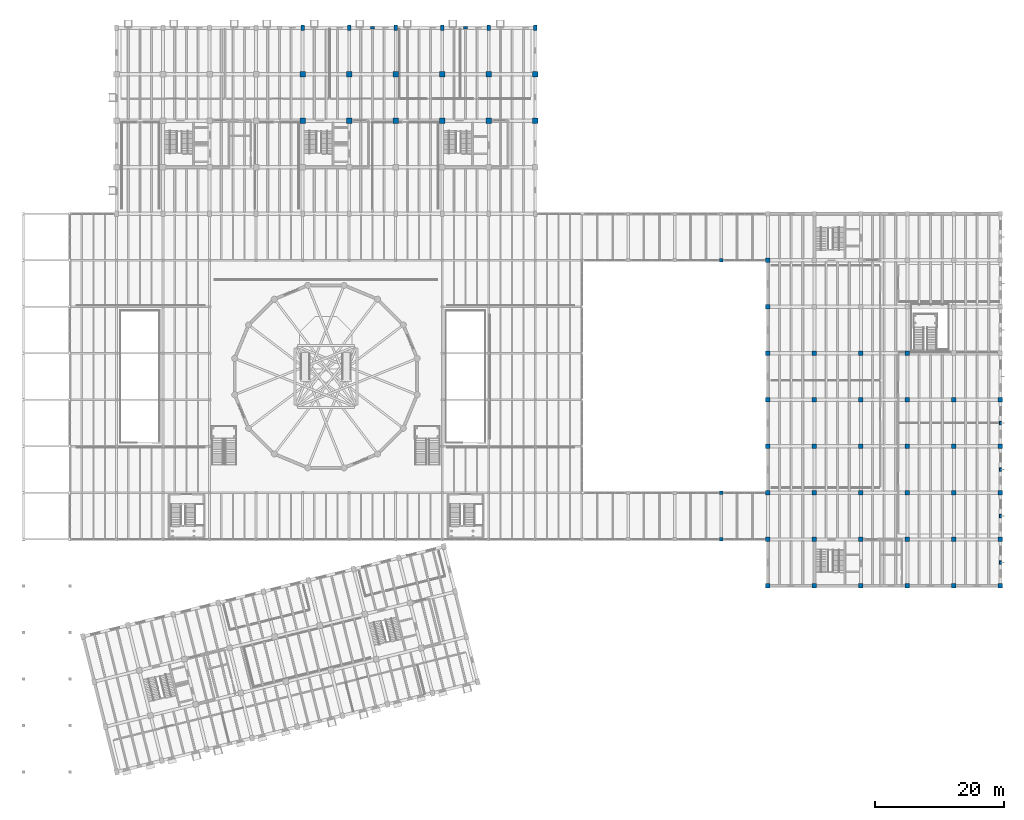
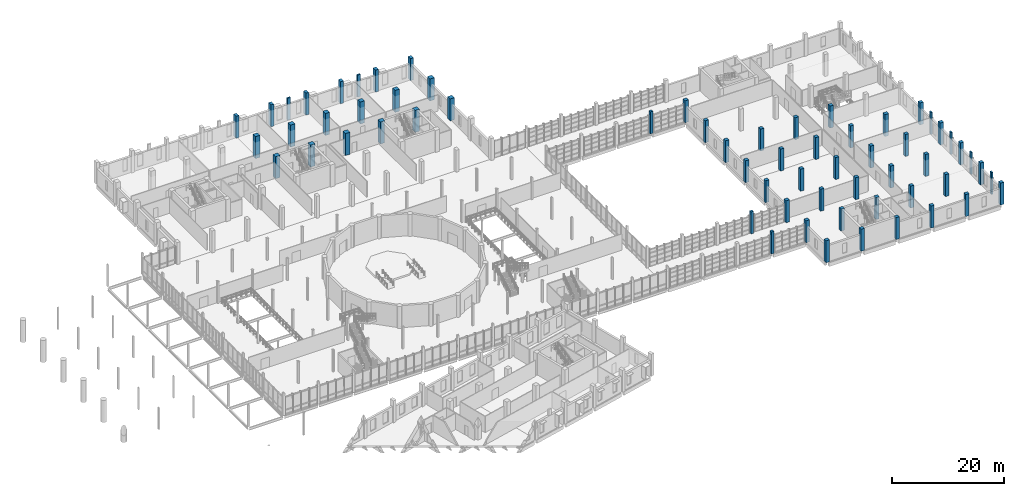
# One storey, part 15 of 77: 63 columns.
"""IFC4 building model written with IfcOpenShell, lengths in metres."""

from ifc_helpers import new_model, si_unit, direction, frame, origin, origin_2d, place, context, subcontext, project, spatial, rectangle, extrude, material, material_profile, profile_set, type_object, element, save


model = new_model("IFC4")

# Units and contexts
model_context = context("Model", 3, precision=1e-05, world=origin(), true_north=direction((0.0, 1.0)))
body_context = subcontext(model_context, "Body", "Model", "MODEL_VIEW")
ifc_project = project(units=[si_unit("LENGTHUNIT", "METRE"), si_unit("AREAUNIT", "SQUARE_METRE"), si_unit("VOLUMEUNIT", "CUBIC_METRE"), si_unit("PLANEANGLEUNIT", "RADIAN"), si_unit("MASSUNIT", "GRAM", prefix="KILO")], contexts=[model_context])

# Site, building, storey
site_placement = place(None, origin())
site = spatial("IfcSite", under=ifc_project, at=site_placement, CompositionType="ELEMENT")
building_placement = place(site_placement, origin())
building = spatial("IfcBuilding", under=site, at=building_placement, Name="Qiaolan Assembly House", CompositionType="ELEMENT")
storey_placement = place(building_placement, frame((0.0, 0.0, 5.39990234375)))
storey = spatial("IfcBuildingStorey", under=building, at=storey_placement, Name="L01", CompositionType="ELEMENT", Elevation=5.39990234375)

# Columns
ifc_material_1 = material(Name="Concrete C40/50", Category="concrete")
ifc_material_profile_1 = material_profile(ifc_material_1, rectangle(XDim=0.699951171875, YDim=0.699951171875, at=origin_2d()), Name="RC 700x700")
ifc_profile_set_1 = profile_set([ifc_material_profile_1], Name="Concrete C40/50")
column_type_1 = type_object("IfcColumnType", Name="COL-RC-700", PredefinedType="COLUMN", material=ifc_profile_set_1)
for number, where, z_axis, x_axis, name in (
    (1, (136.800048828125, 28.800048828125, 0.0), (0.0, 0.0, 1.0), (1.0, 0.0, 0.0), "RC-07 library column L01"),
    (2, (136.800048828125, 36.0, 0.0), (0.0, 0.0, 1.0), (1.0, 0.0, 0.0), "RC-07 library column L01"),
    (3, (136.800048828125, 43.199951171875, 0.0), (0.0, 0.0, 1.0), (1.0, 0.0, 0.0), "RC-07 library column L01"),
    (4, (136.800048828125, 50.39990234375, 0.0), (0.0, 0.0, 1.0), (1.0, 0.0, 0.0), "RC-07 library column L01"),
    (5, (136.800048828125, 57.60009765625, 0.0), (0.0, 0.0, 1.0), (1.0, 0.0, 0.0), "RC-07 library column L01"),
    (6, (136.800048828125, 64.800048828125, 0.0), (0.0, 0.0, 1.0), (1.0, 0.0, 0.0), "RC-07 library column L01"),
    (7, (136.800048828125, 72.0, 0.0), (0.0, 0.0, 1.0), (1.0, 0.0, 0.0), "RC-07 library column L01"),
    (8, (136.800048828125, 79.199951171875, 0.0), (0.0, 0.0, 1.0), (1.0, 0.0, 0.0), "RC-07 library column L01"),
    (9, (144.0, 28.800048828125, 0.0), (0.0, 0.0, 1.0), (1.0, 0.0, 0.0), "RC-07 library column L01"),
    (10, (144.0, 36.0, 0.0), (0.0, 0.0, 1.0), (1.0, 0.0, 0.0), "RC-07 library column L01"),
    (11, (144.0, 43.199951171875, 0.0), (0.0, 0.0, 1.0), (1.0, 0.0, 0.0), "RC-07 library column L01"),
    (12, (144.0, 50.39990234375, 0.0), (0.0, 0.0, 1.0), (1.0, 0.0, 0.0), "RC-07 library column L01"),
    (13, (144.0, 57.60009765625, 0.0), (0.0, 0.0, 1.0), (1.0, 0.0, 0.0), "RC-07 library column L01"),
    (14, (144.0, 64.800048828125, 0.0), (0.0, 0.0, 1.0), (1.0, 0.0, 0.0), "RC-07 library column L01"),
    (15, (151.199951171875, 28.800048828125, 0.0), (0.0, 0.0, 1.0), (1.0, 0.0, 0.0), "RC-07 library column L01"),
    (16, (151.199951171875, 36.0, 0.0), (0.0, 0.0, 1.0), (1.0, 0.0, 0.0), "RC-07 library column L01"),
    (17, (151.199951171875, 43.199951171875, 0.0), (0.0, 0.0, 1.0), (1.0, 0.0, 0.0), "RC-07 library column L01"),
    (18, (151.199951171875, 50.39990234375, 0.0), (0.0, 0.0, 1.0), (1.0, 0.0, 0.0), "RC-07 library column L01"),
    (19, (151.199951171875, 57.60009765625, 0.0), (0.0, 0.0, 1.0), (1.0, 0.0, 0.0), "RC-07 library column L01"),
    (20, (151.199951171875, 64.800048828125, 0.0), (0.0, 0.0, 1.0), (1.0, 0.0, 0.0), "RC-07 library column L01"),
    (21, (158.39990234375, 28.800048828125, 0.0), (0.0, 0.0, 1.0), (1.0, 0.0, 0.0), "RC-07 library column L01"),
    (22, (158.39990234375, 36.0, 0.0), (0.0, 0.0, 1.0), (1.0, 0.0, 0.0), "RC-07 library column L01"),
    (23, (158.39990234375, 43.199951171875, 0.0), (0.0, 0.0, 1.0), (1.0, 0.0, 0.0), "RC-07 library column L01"),
    (24, (158.39990234375, 50.39990234375, 0.0), (0.0, 0.0, 1.0), (1.0, 0.0, 0.0), "RC-07 library column L01"),
    (25, (158.39990234375, 57.60009765625, 0.0), (0.0, 0.0, 1.0), (1.0, 0.0, 0.0), "RC-07 library column L01"),
    (26, (158.39990234375, 64.800048828125, 0.0), (0.0, 0.0, 1.0), (1.0, 0.0, 0.0), "RC-07 library column L01"),
    (27, (165.60009765625, 28.800048828125, 0.0), (0.0, 0.0, 1.0), (1.0, 0.0, 0.0), "RC-07 library column L01"),
    (28, (165.60009765625, 36.0, 0.0), (0.0, 0.0, 1.0), (1.0, 0.0, 0.0), "RC-07 library column L01"),
    (29, (165.60009765625, 43.199951171875, 0.0), (0.0, 0.0, 1.0), (1.0, 0.0, 0.0), "RC-07 library column L01"),
    (30, (165.60009765625, 50.39990234375, 0.0), (0.0, 0.0, 1.0), (1.0, 0.0, 0.0), "RC-07 library column L01"),
    (31, (165.60009765625, 57.60009765625, 0.0), (0.0, 0.0, 1.0), (1.0, 0.0, 0.0), "RC-07 library column L01"),
    (32, (172.800048828125, 28.800048828125, 0.0), (0.0, 0.0, 1.0), (1.0, 0.0, 0.0), "RC-07 library column L01"),
    (33, (172.800048828125, 36.0, 0.0), (0.0, 0.0, 1.0), (1.0, 0.0, 0.0), "RC-07 library column L01"),
    (34, (172.800048828125, 43.199951171875, 0.0), (0.0, 0.0, 1.0), (1.0, 0.0, 0.0), "RC-07 library column L01"),
    (35, (172.800048828125, 50.39990234375, 0.0), (0.0, 0.0, 1.0), (1.0, 0.0, 0.0), "RC-07 library column L01"),
    (36, (172.800048828125, 57.60009765625, 0.0), (0.0, 0.0, 1.0), (1.0, 0.0, 0.0), "RC-07 library column L01"),
):
    element("IfcColumn", number, at=place(storey_placement, frame(where, z_axis=z_axis, x_axis=x_axis)), inside=storey, type_object=column_type_1, Name=name, PredefinedType="COLUMN", context=body_context, shape_type="SweptSolid", body=[
        extrude(rectangle(XDim=0.699951171875, YDim=0.699951171875, at=origin_2d()), origin(), (0.0, 0.0, 1.0), 4.800048828125),
    ])
ifc_material_2 = material(Name="Concrete C50/60", Category="concrete")
ifc_material_profile_2 = material_profile(ifc_material_2, rectangle(XDim=0.60009765625, YDim=0.85009765625, at=origin_2d()), Name="RC 850x600")
ifc_profile_set_2 = profile_set([ifc_material_profile_2], Name="Concrete C50/60")
column_type_2 = type_object("IfcColumnType", Name="COL-RC-850x600", PredefinedType="COLUMN", material=ifc_profile_set_2)
for number, where, z_axis, x_axis, name in (
    (37, (64.800048828125, 115.199951171875, 0.0), (0.0, 0.0, 1.0), (1.0, 0.0, 0.0), "RC-13 column NW L01"),
    (38, (72.0, 115.199951171875, 0.0), (0.0, 0.0, 1.0), (1.0, 0.0, 0.0), "RC-13 column NW L01"),
    (39, (79.199951171875, 115.199951171875, 0.0), (0.0, 0.0, 1.0), (1.0, 0.0, 0.0), "RC-13 column NW L01"),
    (40, (86.39990234375, 115.199951171875, 0.0), (0.0, 0.0, 1.0), (1.0, 0.0, 0.0), "RC-13 column NW L01"),
    (41, (93.60009765625, 115.199951171875, 0.0), (0.0, 0.0, 1.0), (1.0, 0.0, 0.0), "RC-13 column NW L01"),
    (42, (100.800048828125, 115.199951171875, 0.0), (0.0, 0.0, 1.0), (1.0, 0.0, 0.0), "RC-13 column NW L01"),
):
    element("IfcColumn", number, at=place(storey_placement, frame(where, z_axis=z_axis, x_axis=x_axis)), inside=storey, type_object=column_type_2, Name=name, PredefinedType="COLUMN", context=body_context, shape_type="SweptSolid", body=[
        extrude(rectangle(XDim=0.60009765625, YDim=0.85009765625, at=origin_2d()), origin(), (0.0, 0.0, 1.0), 4.800048828125),
    ])
ifc_material_profile_3 = material_profile(ifc_material_2, rectangle(XDim=0.89990234375, YDim=0.89990234375, at=origin_2d()), Name="RC 900x900")
ifc_profile_set_3 = profile_set([ifc_material_profile_3], Name="Concrete C50/60")
column_type_3 = type_object("IfcColumnType", Name="COL-RC-900", PredefinedType="COLUMN", material=ifc_profile_set_3)
for number, where, z_axis, x_axis, name in (
    (43, (64.800048828125, 100.800048828125, 0.0), (0.0, 0.0, 1.0), (1.0, 0.0, 0.0), "RC-03 column NW L01"),
    (44, (64.800048828125, 108.0, 0.0), (0.0, 0.0, 1.0), (1.0, 0.0, 0.0), "RC-03 column NW L01"),
    (45, (72.0, 100.800048828125, 0.0), (0.0, 0.0, 1.0), (1.0, 0.0, 0.0), "RC-03 column NW L01"),
    (46, (72.0, 108.0, 0.0), (0.0, 0.0, 1.0), (1.0, 0.0, 0.0), "RC-03 column NW L01"),
    (47, (79.199951171875, 100.800048828125, 0.0), (0.0, 0.0, 1.0), (1.0, 0.0, 0.0), "RC-03 column NW L01"),
    (48, (79.199951171875, 108.0, 0.0), (0.0, 0.0, 1.0), (1.0, 0.0, 0.0), "RC-03 column NW L01"),
    (49, (86.39990234375, 100.800048828125, 0.0), (0.0, 0.0, 1.0), (1.0, 0.0, 0.0), "RC-03 column NW L01"),
    (50, (86.39990234375, 108.0, 0.0), (0.0, 0.0, 1.0), (1.0, 0.0, 0.0), "RC-03 column NW L01"),
    (51, (93.60009765625, 100.800048828125, 0.0), (0.0, 0.0, 1.0), (1.0, 0.0, 0.0), "RC-03 column NW L01"),
    (52, (93.60009765625, 108.0, 0.0), (0.0, 0.0, 1.0), (1.0, 0.0, 0.0), "RC-03 column NW L01"),
    (53, (100.800048828125, 100.800048828125, 0.0), (0.0, 0.0, 1.0), (1.0, 0.0, 0.0), "RC-03 column NW L01"),
    (54, (100.800048828125, 108.0, 0.0), (0.0, 0.0, 1.0), (1.0, 0.0, 0.0), "RC-03 column NW L01"),
):
    element("IfcColumn", number, at=place(storey_placement, frame(where, z_axis=z_axis, x_axis=x_axis)), inside=storey, type_object=column_type_3, Name=name, PredefinedType="COLUMN", context=body_context, shape_type="SweptSolid", body=[
        extrude(rectangle(XDim=0.89990234375, YDim=0.89990234375, at=origin_2d()), origin(), (0.0, 0.0, 1.0), 4.800048828125),
    ])
ifc_material_3 = material(Name="Precast concrete C45/55", Category="concrete")
ifc_material_profile_4 = material_profile(ifc_material_3, rectangle(XDim=0.52001953125, YDim=0.52001953125, at=origin_2d()), Name="PIL 520x520")
ifc_profile_set_4 = profile_set([ifc_material_profile_4], Name="Precast concrete C45/55")
column_type_4 = type_object("IfcColumnType", Name="PIL-CLOISTER-520", PredefinedType="PILASTER", material=ifc_profile_set_4)
for number, where, z_axis, x_axis, name in (
    (55, (129.60009765625, 36.0, 0.0), (0.0, 0.0, 1.0), (1.0, 0.0, 0.0), "PL-06 cloister pier L01"),
    (56, (129.60009765625, 43.199951171875, 0.0), (0.0, 0.0, 1.0), (1.0, 0.0, 0.0), "PL-06 cloister pier L01"),
    (57, (129.60009765625, 79.199951171875, 0.0), (0.0, 0.0, 1.0), (1.0, 0.0, 0.0), "PL-06 cloister pier L01"),
):
    element("IfcColumn", number, at=place(storey_placement, frame(where, z_axis=z_axis, x_axis=x_axis)), inside=storey, type_object=column_type_4, Name=name, PredefinedType="PILASTER", context=body_context, shape_type="SweptSolid", body=[
        extrude(rectangle(XDim=0.52001953125, YDim=0.52001953125, at=origin_2d()), origin(), (0.0, 0.0, 1.0), 4.800048828125),
    ])
ifc_material_profile_5 = material_profile(ifc_material_3, rectangle(XDim=0.550048828125, YDim=0.300048828125, at=origin_2d()), Name="PIL 550x300")
ifc_profile_set_5 = profile_set([ifc_material_profile_5], Name="Precast concrete C45/55")
column_type_5 = type_object("IfcColumnType", Name="PIL-LIB-550x300", PredefinedType="PILASTER", material=ifc_profile_set_5)
for number, where, z_axis, x_axis, name in (
    (58, (172.800048828125, 32.39990234375, 0.0), (0.0, 0.0, 1.0), (0.0, 1.0, 0.0), "PL-04 library pilaster L01"),
    (59, (172.800048828125, 39.60009765625, 0.0), (0.0, 0.0, 1.0), (0.0, 1.0, 0.0), "PL-04 library pilaster L01"),
    (60, (172.800048828125, 46.800048828125, 0.0), (0.0, 0.0, 1.0), (0.0, 1.0, 0.0), "PL-04 library pilaster L01"),
    (61, (172.800048828125, 54.0, 0.0), (0.0, 0.0, 1.0), (0.0, 1.0, 0.0), "PL-04 library pilaster L01"),
):
    element("IfcColumn", number, at=place(storey_placement, frame(where, z_axis=z_axis, x_axis=x_axis)), inside=storey, type_object=column_type_5, Name=name, PredefinedType="PILASTER", context=body_context, shape_type="SweptSolid", body=[
        extrude(rectangle(XDim=0.550048828125, YDim=0.300048828125, at=origin_2d()), origin(), (0.0, 0.0, 1.0), 4.800048828125),
    ])
ifc_material_profile_6 = material_profile(ifc_material_3, rectangle(XDim=0.64990234375, YDim=0.35009765625, at=origin_2d()), Name="PIL 650x350")
ifc_profile_set_6 = profile_set([ifc_material_profile_6], Name="Precast concrete C45/55")
column_type_6 = type_object("IfcColumnType", Name="PIL-NW-650x350", PredefinedType="PILASTER", material=ifc_profile_set_6)
for number, where, z_axis, x_axis, name in (
    (62, (75.60009765625, 115.199951171875, 0.0), (0.0, 0.0, 1.0), (1.0, 0.0, 0.0), "PL-02 neoclassical pilaster NW L01"),
    (63, (90.0, 115.199951171875, 0.0), (0.0, 0.0, 1.0), (1.0, 0.0, 0.0), "PL-02 neoclassical pilaster NW L01"),
):
    element("IfcColumn", number, at=place(storey_placement, frame(where, z_axis=z_axis, x_axis=x_axis)), inside=storey, type_object=column_type_6, Name=name, PredefinedType="PILASTER", context=body_context, shape_type="SweptSolid", body=[
        extrude(rectangle(XDim=0.64990234375, YDim=0.35009765625, at=origin_2d()), origin(), (0.0, 0.0, 1.0), 4.800048828125),
    ])

save(model, "model.ifc")
